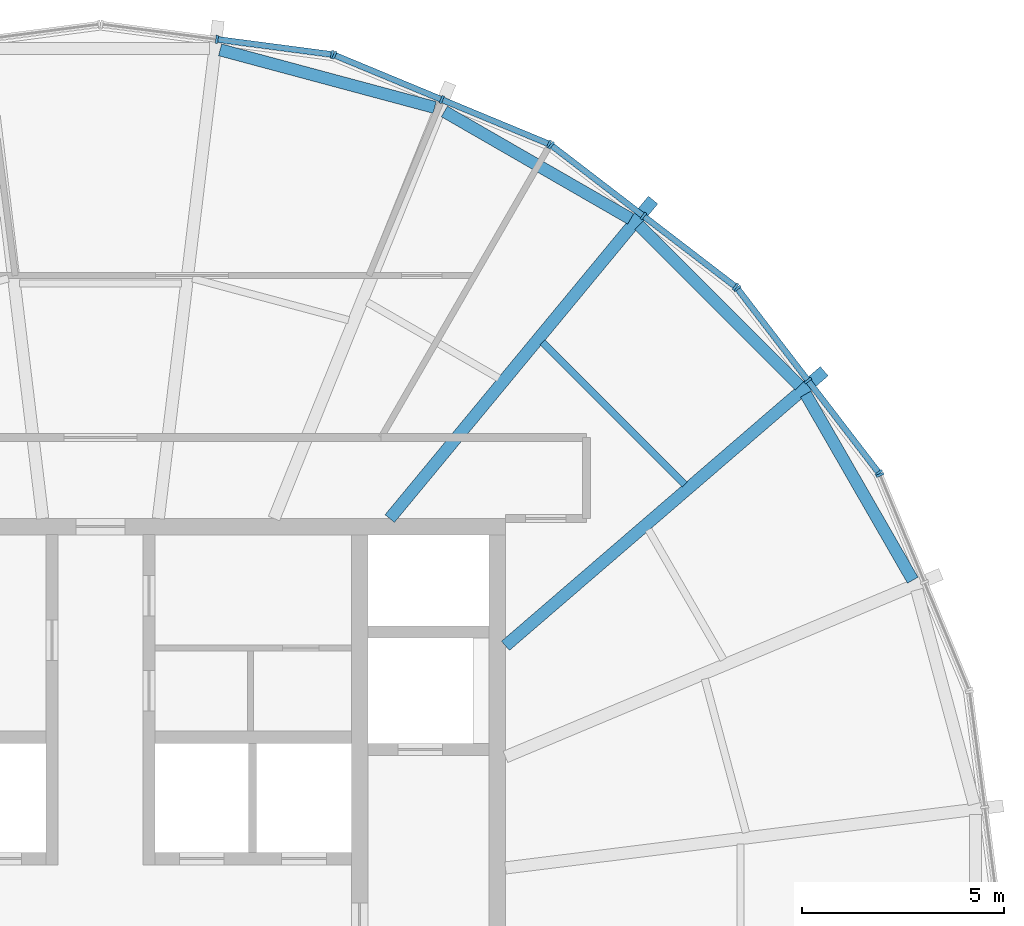
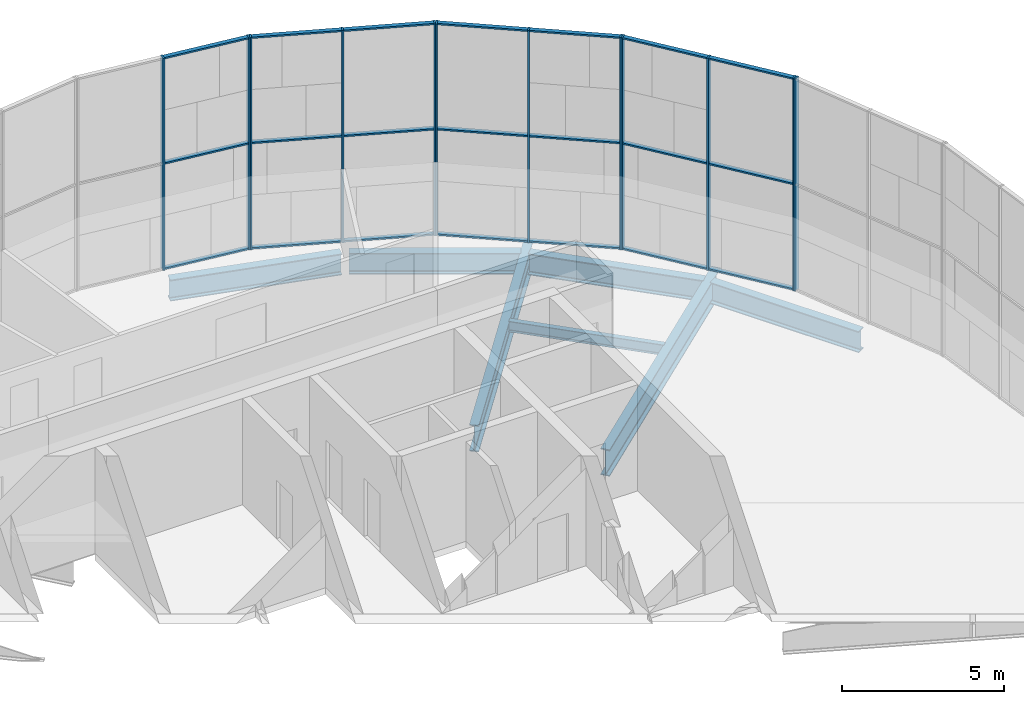
# One storey, part 7 of 19: 33 members, 7 beams, 5 elements without a shape of their own.
"""IFC4 building model written with IfcOpenShell, lengths in metres."""

from ifc_helpers import new_model, si_unit, direction, frame, origin, origin_2d, place, context, subcontext, project, spatial, rectangle, i_section, extrude, material, material_profile, profile_set, type_object, element, aggregate, save


model = new_model("IFC4")

# Units and contexts
model_context = context("Model", 3, precision=1e-05, world=origin(), true_north=direction((0.0, 1.0)))
body_context = subcontext(model_context, "Body", "Model", "MODEL_VIEW")
ifc_project = project(units=[si_unit("LENGTHUNIT", "METRE"), si_unit("AREAUNIT", "SQUARE_METRE"), si_unit("VOLUMEUNIT", "CUBIC_METRE"), si_unit("PLANEANGLEUNIT", "RADIAN"), si_unit("MASSUNIT", "GRAM", prefix="KILO")], contexts=[model_context])

# Site, building, storey
site_placement = place(None, origin())
site = spatial("IfcSite", under=ifc_project, at=site_placement, CompositionType="ELEMENT")
building_placement = place(site_placement, origin())
building = spatial("IfcBuilding", under=site, at=building_placement, Name="Golbaran Civic Tower", CompositionType="ELEMENT")
storey_placement = place(building_placement, frame((0.0, 0.0, 256.0)))
storey = spatial("IfcBuildingStorey", under=building, at=storey_placement, Name="L62", CompositionType="ELEMENT", Elevation=256.0)

# Beams
ifc_material_1 = material(Name="Steel S355", Category="steel")
ifc_material_profile_1 = material_profile(ifc_material_1, i_section(OverallWidth=0.300048828125, OverallDepth=0.800048828125, WebThickness=0.017578125, FlangeThickness=0.032958984375, FilletRadius=0.030029296875, at=origin_2d()), Name="HEB 800")
ifc_profile_set_1 = profile_set([ifc_material_profile_1], Name="Steel S355")
beam_type_1 = type_object("IfcBeamType", Name="EDGE BEAM HEB 800", PredefinedType="BEAM", material=ifc_profile_set_1)
beam_1_placement = place(storey_placement, frame((20.058837890625, 8.4775390625, -0.60009765625), z_axis=(-0.498581864812, 0.866842617827, 0.0), x_axis=(-0.866842617827, -0.498581864812, 0.0)))
element("IfcBeam", 1, at=beam_1_placement, inside=storey, type_object=beam_type_1, Name="Edge beam 22.58 L62", PredefinedType="BEAM", context=body_context, shape_type="SweptSolid", body=[
    extrude(i_section(OverallWidth=0.300048828125, OverallDepth=0.800048828125, WebThickness=0.017578125, FlangeThickness=0.032958984375, FilletRadius=0.030029296875, at=origin_2d()), origin(), (0.0, 0.0, 1.0), 5.3017578125),
])
beam_2_placement = place(storey_placement, frame((17.257568359375, 13.2802734375, -0.60009765625), z_axis=(-0.706714343881, 0.707499000814, 0.0), x_axis=(-0.707499000814, -0.706714343881, 0.0)))
element("IfcBeam", 2, at=beam_2_placement, inside=storey, type_object=beam_type_1, Name="Edge beam 37.42 L62", PredefinedType="BEAM", context=body_context, shape_type="SweptSolid", body=[
    extrude(i_section(OverallWidth=0.300048828125, OverallDepth=0.800048828125, WebThickness=0.017578125, FlangeThickness=0.032958984375, FilletRadius=0.030029296875, at=origin_2d()), origin(), (0.0, 0.0, 1.0), 5.6005859375),
])
beam_3_placement = place(storey_placement, frame((13.093017578125, 17.40087890625, -0.60009765625), z_axis=(-0.866418166458, 0.499319097203, 0.0), x_axis=(-0.499319097203, -0.866418166458, 0.0)))
element("IfcBeam", 3, at=beam_3_placement, inside=storey, type_object=beam_type_1, Name="Edge beam 52.58 L62", PredefinedType="BEAM", context=body_context, shape_type="SweptSolid", body=[
    extrude(i_section(OverallWidth=0.300048828125, OverallDepth=0.800048828125, WebThickness=0.017578125, FlangeThickness=0.032958984375, FilletRadius=0.030029296875, at=origin_2d()), origin(), (0.0, 0.0, 1.0), 5.310546875),
])
beam_4_placement = place(storey_placement, frame((8.251708984375, 20.152099609375, -0.60009765625), z_axis=(-0.965784409485, 0.259346244228, 0.0), x_axis=(-0.259346244228, -0.965784409485, 0.0)))
element("IfcBeam", 4, at=beam_4_placement, inside=storey, type_object=beam_type_1, Name="Edge beam 67.42 L62", PredefinedType="BEAM", context=body_context, shape_type="SweptSolid", body=[
    extrude(i_section(OverallWidth=0.300048828125, OverallDepth=0.800048828125, WebThickness=0.017578125, FlangeThickness=0.032958984375, FilletRadius=0.030029296875, at=origin_2d()), origin(), (0.0, 0.0, 1.0), 5.486328125),
])
ifc_material_profile_2 = material_profile(ifc_material_1, i_section(OverallWidth=0.179931640625, OverallDepth=0.39990234375, WebThickness=0.008544921875, FlangeThickness=0.013427734375, FilletRadius=0.02099609375, at=origin_2d()), Name="IPE 400")
ifc_profile_set_2 = profile_set([ifc_material_profile_2], Name="Steel S355")
beam_type_2 = type_object("IfcBeamType", Name="FLOOR INFILL BEAM IPE 400", PredefinedType="BEAM", material=ifc_profile_set_2)
beam_5_placement = place(storey_placement, frame((14.427490234375, 10.842529296875, -0.39990234375), z_axis=(-0.707106781187, 0.707106781187, 0.0), x_axis=(-0.707106781187, -0.707106781187, 0.0)))
element("IfcBeam", 5, at=beam_5_placement, inside=storey, type_object=beam_type_2, Name="Infill beam 45.00 L62", PredefinedType="BEAM", context=body_context, shape_type="SweptSolid", body=[
    extrude(i_section(OverallWidth=0.179931640625, OverallDepth=0.39990234375, WebThickness=0.008544921875, FlangeThickness=0.013427734375, FilletRadius=0.02099609375, at=origin_2d()), origin(), (0.0, 0.0, 1.0), 4.9697265625),
])

# Curtain wall, member
ifc_material_2 = material(Name="Aluminium and glass", Category="aluminium")
curtain_wall_type = type_object("IfcCurtainWallType", Name="INNER SKIN CURTAIN WALL EXECUTIVE", PredefinedType="NOTDEFINED", material=ifc_material_2)
curtain_wall_1_placement = place(storey_placement, origin())
curtain_wall_1 = element("IfcCurtainWall", 6, at=curtain_wall_1_placement, inside=storey, type_object=curtain_wall_type, Name="Inner skin L62 facet 2 CW2", ObjectType="INNER SKIN", PredefinedType="USERDEFINED")
ifc_material_3 = material(Name="Aluminium", Category="aluminium")
ifc_material_profile_3 = material_profile(ifc_material_3, rectangle(XDim=0.199951171875, YDim=0.06005859375, at=origin_2d()), Name="INNER SKIN CURTAIN WALL EXECUTIVE MULLION")
ifc_profile_set_3 = profile_set([ifc_material_profile_3], Name="Aluminium")
member_type_1 = type_object("IfcMemberType", Name="INNER SKIN CURTAIN WALL EXECUTIVE MULLION", PredefinedType="MULLION", material=ifc_profile_set_3)
member_1_placement = place(storey_placement, frame((19.24853515625, 11.078857421875, 0.0), z_axis=(0.0, 0.0, 1.0), x_axis=(-0.923879532511, -0.382683432365, 0.0)))
member_1 = element("IfcMember", 7, at=member_1_placement, type_object=member_type_1, Name="CW2 mullion 3", PredefinedType="MULLION", context=body_context, shape_type="SweptSolid", body=[
    extrude(rectangle(XDim=0.199951171875, YDim=0.06005859375, at=origin_2d()), origin(), (0.0, 0.0, 1.0), 8.0),
])
aggregate(curtain_wall_1, [member_1])

# Curtain wall, members
curtain_wall_2_placement = place(storey_placement, origin())
curtain_wall_2 = element("IfcCurtainWall", 8, at=curtain_wall_2_placement, inside=storey, type_object=curtain_wall_type, Name="Inner skin L62 facet 3 CW2", ObjectType="INNER SKIN", PredefinedType="USERDEFINED")
member_2_placement = place(storey_placement, frame((19.21875, 11.13037109375, 0.0), z_axis=(0.0, 0.0, 1.0), x_axis=(-0.793353340238, -0.608761429078, 0.0)))
member_2 = element("IfcMember", 9, at=member_2_placement, type_object=member_type_1, Name="CW2 mullion 1", PredefinedType="MULLION", context=body_context, shape_type="SweptSolid", body=[
    extrude(rectangle(XDim=0.199951171875, YDim=0.06005859375, at=origin_2d()), origin(), (0.0, 0.0, 1.0), 8.0),
])
member_3_placement = place(storey_placement, frame((17.471923828125, 13.40673828125, 0.0), z_axis=(0.0, 0.0, 1.0), x_axis=(-0.793353340238, -0.608761429078, 0.0)))
member_3 = element("IfcMember", 10, at=member_3_placement, type_object=member_type_1, Name="CW2 mullion 2", PredefinedType="MULLION", context=body_context, shape_type="SweptSolid", body=[
    extrude(rectangle(XDim=0.199951171875, YDim=0.06005859375, at=origin_2d()), origin(), (0.0, 0.0, 1.0), 8.0),
])
member_4_placement = place(storey_placement, frame((15.725341796875, 15.68310546875, 0.0), z_axis=(0.0, 0.0, 1.0), x_axis=(-0.793353340238, -0.608761429078, 0.0)))
member_4 = element("IfcMember", 11, at=member_4_placement, type_object=member_type_1, Name="CW2 mullion 3", PredefinedType="MULLION", context=body_context, shape_type="SweptSolid", body=[
    extrude(rectangle(XDim=0.199951171875, YDim=0.06005859375, at=origin_2d()), origin(), (0.0, 0.0, 1.0), 8.0),
])

curtain_wall_3_placement = place(storey_placement, origin())
curtain_wall_3 = element("IfcCurtainWall", 12, at=curtain_wall_3_placement, inside=storey, type_object=curtain_wall_type, Name="Inner skin L62 facet 4 CW2", ObjectType="INNER SKIN", PredefinedType="USERDEFINED")
member_5_placement = place(storey_placement, frame((15.68310546875, 15.725341796875, 0.0), z_axis=(0.0, 0.0, 1.0), x_axis=(-0.608761429078, -0.793353340238, 0.0)))
member_5 = element("IfcMember", 13, at=member_5_placement, type_object=member_type_1, Name="CW2 mullion 1", PredefinedType="MULLION", context=body_context, shape_type="SweptSolid", body=[
    extrude(rectangle(XDim=0.199951171875, YDim=0.06005859375, at=origin_2d()), origin(), (0.0, 0.0, 1.0), 8.0),
])
member_6_placement = place(storey_placement, frame((13.40673828125, 17.471923828125, 0.0), z_axis=(0.0, 0.0, 1.0), x_axis=(-0.608761429078, -0.793353340238, 0.0)))
member_6 = element("IfcMember", 14, at=member_6_placement, type_object=member_type_1, Name="CW2 mullion 2", PredefinedType="MULLION", context=body_context, shape_type="SweptSolid", body=[
    extrude(rectangle(XDim=0.199951171875, YDim=0.06005859375, at=origin_2d()), origin(), (0.0, 0.0, 1.0), 8.0),
])
member_7_placement = place(storey_placement, frame((11.13037109375, 19.21875, 0.0), z_axis=(0.0, 0.0, 1.0), x_axis=(-0.608761429078, -0.793353340238, 0.0)))
member_7 = element("IfcMember", 15, at=member_7_placement, type_object=member_type_1, Name="CW2 mullion 3", PredefinedType="MULLION", context=body_context, shape_type="SweptSolid", body=[
    extrude(rectangle(XDim=0.199951171875, YDim=0.06005859375, at=origin_2d()), origin(), (0.0, 0.0, 1.0), 8.0),
])

curtain_wall_4_placement = place(storey_placement, origin())
curtain_wall_4 = element("IfcCurtainWall", 16, at=curtain_wall_4_placement, inside=storey, type_object=curtain_wall_type, Name="Inner skin L62 facet 5 CW2", ObjectType="INNER SKIN", PredefinedType="USERDEFINED")
member_8_placement = place(storey_placement, frame((11.078857421875, 19.24853515625, 0.0), z_axis=(0.0, 0.0, 1.0), x_axis=(-0.382683432365, -0.923879532511, 0.0)))
member_8 = element("IfcMember", 17, at=member_8_placement, type_object=member_type_1, Name="CW2 mullion 1", PredefinedType="MULLION", context=body_context, shape_type="SweptSolid", body=[
    extrude(rectangle(XDim=0.199951171875, YDim=0.06005859375, at=origin_2d()), origin(), (0.0, 0.0, 1.0), 8.0),
])
member_9_placement = place(storey_placement, frame((8.427734375, 20.3466796875, 0.0), z_axis=(0.0, 0.0, 1.0), x_axis=(-0.382683432365, -0.923879532511, 0.0)))
member_9 = element("IfcMember", 18, at=member_9_placement, type_object=member_type_1, Name="CW2 mullion 2", PredefinedType="MULLION", context=body_context, shape_type="SweptSolid", body=[
    extrude(rectangle(XDim=0.199951171875, YDim=0.06005859375, at=origin_2d()), origin(), (0.0, 0.0, 1.0), 8.0),
])
member_10_placement = place(storey_placement, frame((5.77685546875, 21.444580078125, 0.0), z_axis=(0.0, 0.0, 1.0), x_axis=(-0.382683432365, -0.923879532511, 0.0)))
member_10 = element("IfcMember", 19, at=member_10_placement, type_object=member_type_1, Name="CW2 mullion 3", PredefinedType="MULLION", context=body_context, shape_type="SweptSolid", body=[
    extrude(rectangle(XDim=0.199951171875, YDim=0.06005859375, at=origin_2d()), origin(), (0.0, 0.0, 1.0), 8.0),
])

curtain_wall_5_placement = place(storey_placement, origin())
curtain_wall_5 = element("IfcCurtainWall", 20, at=curtain_wall_5_placement, inside=storey, type_object=curtain_wall_type, Name="Inner skin L62 facet 6 CW2", ObjectType="INNER SKIN", PredefinedType="USERDEFINED")
member_11_placement = place(storey_placement, frame((5.719482421875, 21.4599609375, 0.0), z_axis=(0.0, 0.0, 1.0), x_axis=(-0.130526192272, -0.991444861367, 0.0)))
member_11 = element("IfcMember", 21, at=member_11_placement, type_object=member_type_1, Name="CW2 mullion 1", PredefinedType="MULLION", context=body_context, shape_type="SweptSolid", body=[
    extrude(rectangle(XDim=0.199951171875, YDim=0.06005859375, at=origin_2d()), origin(), (0.0, 0.0, 1.0), 8.0),
])
member_12_placement = place(storey_placement, frame((2.87451171875, 21.83447265625, 0.0), z_axis=(0.0, 0.0, 1.0), x_axis=(-0.130526192272, -0.991444861367, 0.0)))
member_12 = element("IfcMember", 22, at=member_12_placement, type_object=member_type_1, Name="CW2 mullion 2", PredefinedType="MULLION", context=body_context, shape_type="SweptSolid", body=[
    extrude(rectangle(XDim=0.199951171875, YDim=0.06005859375, at=origin_2d()), origin(), (0.0, 0.0, 1.0), 8.0),
])

# Member
ifc_material_profile_4 = material_profile(ifc_material_3, rectangle(XDim=0.14990234375, YDim=0.06005859375, at=origin_2d()), Name="INNER SKIN CURTAIN WALL EXECUTIVE TRANSOM")
ifc_profile_set_4 = profile_set([ifc_material_profile_4], Name="Aluminium")
member_type_2 = type_object("IfcMemberType", Name="INNER SKIN CURTAIN WALL EXECUTIVE TRANSOM", PredefinedType="USERDEFINED", material=ifc_profile_set_4)
member_13_placement = place(storey_placement, frame((19.200439453125, 11.154052734375, 0.030029296875), z_axis=(-0.608765363283, 0.793350321401, 0.0), x_axis=(-0.793350321401, -0.608765363283, 0.0)))
member_13 = element("IfcMember", 23, at=member_13_placement, type_object=member_type_2, Name="CW2 transom 1.1", ObjectType="TRANSOM", PredefinedType="USERDEFINED", context=body_context, shape_type="SweptSolid", body=[
    extrude(rectangle(XDim=0.14990234375, YDim=0.06005859375, at=origin_2d()), origin(), (0.0, 0.0, 1.0), 2.809326171875),
])

member_14_placement = place(storey_placement, frame((19.200439453125, 11.154052734375, 4.0), z_axis=(-0.608765363283, 0.793350321401, 0.0), x_axis=(-0.793350321401, -0.608765363283, 0.0)))
member_14 = element("IfcMember", 24, at=member_14_placement, type_object=member_type_2, Name="CW2 transom 1.2", ObjectType="TRANSOM", PredefinedType="USERDEFINED", context=body_context, shape_type="SweptSolid", body=[
    extrude(rectangle(XDim=0.14990234375, YDim=0.06005859375, at=origin_2d()), origin(), (0.0, 0.0, 1.0), 2.809326171875),
])

member_15_placement = place(storey_placement, frame((19.200439453125, 11.154052734375, 7.969970703125), z_axis=(-0.608765363283, 0.793350321401, 0.0), x_axis=(-0.793350321401, -0.608765363283, 0.0)))
member_15 = element("IfcMember", 25, at=member_15_placement, type_object=member_type_2, Name="CW2 transom 1.3", ObjectType="TRANSOM", PredefinedType="USERDEFINED", context=body_context, shape_type="SweptSolid", body=[
    extrude(rectangle(XDim=0.14990234375, YDim=0.06005859375, at=origin_2d()), origin(), (0.0, 0.0, 1.0), 2.809326171875),
])

member_16_placement = place(storey_placement, frame((17.45361328125, 13.430419921875, 0.030029296875), z_axis=(-0.608723393608, 0.793382524432, 0.0), x_axis=(-0.793382524432, -0.608723393608, 0.0)))
member_16 = element("IfcMember", 26, at=member_16_placement, type_object=member_type_2, Name="CW2 transom 2.1", ObjectType="TRANSOM", PredefinedType="USERDEFINED", context=body_context, shape_type="SweptSolid", body=[
    extrude(rectangle(XDim=0.14990234375, YDim=0.06005859375, at=origin_2d()), origin(), (0.0, 0.0, 1.0), 2.8095703125),
])

member_17_placement = place(storey_placement, frame((17.45361328125, 13.430419921875, 4.0), z_axis=(-0.608723393608, 0.793382524432, 0.0), x_axis=(-0.793382524432, -0.608723393608, 0.0)))
member_17 = element("IfcMember", 27, at=member_17_placement, type_object=member_type_2, Name="CW2 transom 2.2", ObjectType="TRANSOM", PredefinedType="USERDEFINED", context=body_context, shape_type="SweptSolid", body=[
    extrude(rectangle(XDim=0.14990234375, YDim=0.06005859375, at=origin_2d()), origin(), (0.0, 0.0, 1.0), 2.8095703125),
])

member_18_placement = place(storey_placement, frame((17.45361328125, 13.430419921875, 7.969970703125), z_axis=(-0.608723393608, 0.793382524432, 0.0), x_axis=(-0.793382524432, -0.608723393608, 0.0)))
member_18 = element("IfcMember", 28, at=member_18_placement, type_object=member_type_2, Name="CW2 transom 2.3", ObjectType="TRANSOM", PredefinedType="USERDEFINED", context=body_context, shape_type="SweptSolid", body=[
    extrude(rectangle(XDim=0.14990234375, YDim=0.06005859375, at=origin_2d()), origin(), (0.0, 0.0, 1.0), 2.8095703125),
])

aggregate(curtain_wall_2, [member_2, member_3, member_4, member_13, member_14, member_15, member_16, member_17, member_18])

member_19_placement = place(storey_placement, frame((15.659423828125, 15.743408203125, 0.030029296875), z_axis=(-0.793382524432, 0.608723393608, 0.0), x_axis=(-0.608723393608, -0.793382524432, 0.0)))
member_19 = element("IfcMember", 29, at=member_19_placement, type_object=member_type_2, Name="CW2 transom 1.1", ObjectType="TRANSOM", PredefinedType="USERDEFINED", context=body_context, shape_type="SweptSolid", body=[
    extrude(rectangle(XDim=0.14990234375, YDim=0.06005859375, at=origin_2d()), origin(), (0.0, 0.0, 1.0), 2.8095703125),
])

member_20_placement = place(storey_placement, frame((15.659423828125, 15.743408203125, 4.0), z_axis=(-0.793382524432, 0.608723393608, 0.0), x_axis=(-0.608723393608, -0.793382524432, 0.0)))
member_20 = element("IfcMember", 30, at=member_20_placement, type_object=member_type_2, Name="CW2 transom 1.2", ObjectType="TRANSOM", PredefinedType="USERDEFINED", context=body_context, shape_type="SweptSolid", body=[
    extrude(rectangle(XDim=0.14990234375, YDim=0.06005859375, at=origin_2d()), origin(), (0.0, 0.0, 1.0), 2.8095703125),
])

member_21_placement = place(storey_placement, frame((15.659423828125, 15.743408203125, 7.969970703125), z_axis=(-0.793382524432, 0.608723393608, 0.0), x_axis=(-0.608723393608, -0.793382524432, 0.0)))
member_21 = element("IfcMember", 31, at=member_21_placement, type_object=member_type_2, Name="CW2 transom 1.3", ObjectType="TRANSOM", PredefinedType="USERDEFINED", context=body_context, shape_type="SweptSolid", body=[
    extrude(rectangle(XDim=0.14990234375, YDim=0.06005859375, at=origin_2d()), origin(), (0.0, 0.0, 1.0), 2.8095703125),
])

member_22_placement = place(storey_placement, frame((13.3828125, 17.490234375, 0.030029296875), z_axis=(-0.793350321401, 0.608765363283, 0.0), x_axis=(-0.608765363283, -0.793350321401, 0.0)))
member_22 = element("IfcMember", 32, at=member_22_placement, type_object=member_type_2, Name="CW2 transom 2.1", ObjectType="TRANSOM", PredefinedType="USERDEFINED", context=body_context, shape_type="SweptSolid", body=[
    extrude(rectangle(XDim=0.14990234375, YDim=0.06005859375, at=origin_2d()), origin(), (0.0, 0.0, 1.0), 2.809326171875),
])

member_23_placement = place(storey_placement, frame((13.3828125, 17.490234375, 4.0), z_axis=(-0.793350321401, 0.608765363283, 0.0), x_axis=(-0.608765363283, -0.793350321401, 0.0)))
member_23 = element("IfcMember", 33, at=member_23_placement, type_object=member_type_2, Name="CW2 transom 2.2", ObjectType="TRANSOM", PredefinedType="USERDEFINED", context=body_context, shape_type="SweptSolid", body=[
    extrude(rectangle(XDim=0.14990234375, YDim=0.06005859375, at=origin_2d()), origin(), (0.0, 0.0, 1.0), 2.809326171875),
])

member_24_placement = place(storey_placement, frame((13.3828125, 17.490234375, 7.969970703125), z_axis=(-0.793350321401, 0.608765363283, 0.0), x_axis=(-0.608765363283, -0.793350321401, 0.0)))
member_24 = element("IfcMember", 34, at=member_24_placement, type_object=member_type_2, Name="CW2 transom 2.3", ObjectType="TRANSOM", PredefinedType="USERDEFINED", context=body_context, shape_type="SweptSolid", body=[
    extrude(rectangle(XDim=0.14990234375, YDim=0.06005859375, at=origin_2d()), origin(), (0.0, 0.0, 1.0), 2.809326171875),
])

aggregate(curtain_wall_3, [member_5, member_6, member_7, member_19, member_20, member_21, member_22, member_23, member_24])

member_25_placement = place(storey_placement, frame((11.051025390625, 19.260009765625, 0.030029296875), z_axis=(-0.923864304003, 0.382720195168, 0.0), x_axis=(-0.382720195168, -0.923864304003, 0.0)))
member_25 = element("IfcMember", 35, at=member_25_placement, type_object=member_type_2, Name="CW2 transom 1.1", ObjectType="TRANSOM", PredefinedType="USERDEFINED", context=body_context, shape_type="SweptSolid", body=[
    extrude(rectangle(XDim=0.14990234375, YDim=0.06005859375, at=origin_2d()), origin(), (0.0, 0.0, 1.0), 2.809326171875),
])

member_26_placement = place(storey_placement, frame((11.051025390625, 19.260009765625, 4.0), z_axis=(-0.923864304003, 0.382720195168, 0.0), x_axis=(-0.382720195168, -0.923864304003, 0.0)))
member_26 = element("IfcMember", 36, at=member_26_placement, type_object=member_type_2, Name="CW2 transom 1.2", ObjectType="TRANSOM", PredefinedType="USERDEFINED", context=body_context, shape_type="SweptSolid", body=[
    extrude(rectangle(XDim=0.14990234375, YDim=0.06005859375, at=origin_2d()), origin(), (0.0, 0.0, 1.0), 2.809326171875),
])

member_27_placement = place(storey_placement, frame((11.051025390625, 19.260009765625, 7.969970703125), z_axis=(-0.923864304003, 0.382720195168, 0.0), x_axis=(-0.382720195168, -0.923864304003, 0.0)))
member_27 = element("IfcMember", 37, at=member_27_placement, type_object=member_type_2, Name="CW2 transom 1.3", ObjectType="TRANSOM", PredefinedType="USERDEFINED", context=body_context, shape_type="SweptSolid", body=[
    extrude(rectangle(XDim=0.14990234375, YDim=0.06005859375, at=origin_2d()), origin(), (0.0, 0.0, 1.0), 2.809326171875),
])

member_28_placement = place(storey_placement, frame((8.400146484375, 20.358154296875, 0.030029296875), z_axis=(-0.923895029293, 0.382646017682, 0.0), x_axis=(-0.382646017682, -0.923895029293, 0.0)))
member_28 = element("IfcMember", 38, at=member_28_placement, type_object=member_type_2, Name="CW2 transom 2.1", ObjectType="TRANSOM", PredefinedType="USERDEFINED", context=body_context, shape_type="SweptSolid", body=[
    extrude(rectangle(XDim=0.14990234375, YDim=0.06005859375, at=origin_2d()), origin(), (0.0, 0.0, 1.0), 2.809326171875),
])

member_29_placement = place(storey_placement, frame((8.400146484375, 20.358154296875, 4.0), z_axis=(-0.923895029293, 0.382646017682, 0.0), x_axis=(-0.382646017682, -0.923895029293, 0.0)))
member_29 = element("IfcMember", 39, at=member_29_placement, type_object=member_type_2, Name="CW2 transom 2.2", ObjectType="TRANSOM", PredefinedType="USERDEFINED", context=body_context, shape_type="SweptSolid", body=[
    extrude(rectangle(XDim=0.14990234375, YDim=0.06005859375, at=origin_2d()), origin(), (0.0, 0.0, 1.0), 2.809326171875),
])

member_30_placement = place(storey_placement, frame((8.400146484375, 20.358154296875, 7.969970703125), z_axis=(-0.923895029293, 0.382646017682, 0.0), x_axis=(-0.382646017682, -0.923895029293, 0.0)))
member_30 = element("IfcMember", 40, at=member_30_placement, type_object=member_type_2, Name="CW2 transom 2.3", ObjectType="TRANSOM", PredefinedType="USERDEFINED", context=body_context, shape_type="SweptSolid", body=[
    extrude(rectangle(XDim=0.14990234375, YDim=0.06005859375, at=origin_2d()), origin(), (0.0, 0.0, 1.0), 2.809326171875),
])

aggregate(curtain_wall_4, [member_8, member_9, member_10, member_25, member_26, member_27, member_28, member_29, member_30])

member_31_placement = place(storey_placement, frame((5.689697265625, 21.4638671875, 0.030029296875), z_axis=(-0.991445123903, 0.130524198098, 0.0), x_axis=(-0.130524198098, -0.991445123903, 0.0)))
member_31 = element("IfcMember", 41, at=member_31_placement, type_object=member_type_2, Name="CW2 transom 1.1", ObjectType="TRANSOM", PredefinedType="USERDEFINED", context=body_context, shape_type="SweptSolid", body=[
    extrude(rectangle(XDim=0.14990234375, YDim=0.06005859375, at=origin_2d()), origin(), (0.0, 0.0, 1.0), 2.809326171875),
])

member_32_placement = place(storey_placement, frame((5.689697265625, 21.4638671875, 4.0), z_axis=(-0.991445123903, 0.130524198098, 0.0), x_axis=(-0.130524198098, -0.991445123903, 0.0)))
member_32 = element("IfcMember", 42, at=member_32_placement, type_object=member_type_2, Name="CW2 transom 1.2", ObjectType="TRANSOM", PredefinedType="USERDEFINED", context=body_context, shape_type="SweptSolid", body=[
    extrude(rectangle(XDim=0.14990234375, YDim=0.06005859375, at=origin_2d()), origin(), (0.0, 0.0, 1.0), 2.809326171875),
])

member_33_placement = place(storey_placement, frame((5.689697265625, 21.4638671875, 7.969970703125), z_axis=(-0.991445123903, 0.130524198098, 0.0), x_axis=(-0.130524198098, -0.991445123903, 0.0)))
member_33 = element("IfcMember", 43, at=member_33_placement, type_object=member_type_2, Name="CW2 transom 1.3", ObjectType="TRANSOM", PredefinedType="USERDEFINED", context=body_context, shape_type="SweptSolid", body=[
    extrude(rectangle(XDim=0.14990234375, YDim=0.06005859375, at=origin_2d()), origin(), (0.0, 0.0, 1.0), 2.809326171875),
])

aggregate(curtain_wall_5, [member_11, member_12, member_31, member_32, member_33])

# Beams
ifc_material_profile_5 = material_profile(ifc_material_1, i_section(OverallWidth=0.300048828125, OverallDepth=1.0, WebThickness=0.01904296875, FlangeThickness=0.035888671875, FilletRadius=0.030029296875, at=origin_2d()), Name="HEB 1000")
ifc_profile_set_5 = profile_set([ifc_material_profile_5], Name="Steel S355")
beam_type_3 = type_object("IfcBeamType", Name="RADIAL FLOOR BEAM HEB 1000", PredefinedType="BEAM", material=ifc_profile_set_5)
beam_6_placement = place(storey_placement, frame((10.0, 6.857177734375, -0.7099609375), z_axis=(0.757663917113, 0.65264491778, 0.0), x_axis=(-0.65264491778, 0.757663917113, 0.0)))
element("IfcBeam", 44, at=beam_6_placement, inside=storey, type_object=beam_type_3, Name="Radial beam 37.42 L62", PredefinedType="BEAM", context=body_context, shape_type="SweptSolid", body=[
    extrude(i_section(OverallWidth=0.300048828125, OverallDepth=1.0, WebThickness=0.01904296875, FlangeThickness=0.035888671875, FilletRadius=0.030029296875, at=origin_2d()), origin(), (0.0, 0.0, 1.0), 10.3916015625),
])
beam_7_placement = place(storey_placement, frame((7.142822265625, 10.0, -0.7099609375), z_axis=(0.637203438568, 0.770695645425, 0.0), x_axis=(-0.770695645425, 0.637203438568, 0.0)))
element("IfcBeam", 45, at=beam_7_placement, inside=storey, type_object=beam_type_3, Name="Radial beam 52.58 L62", PredefinedType="BEAM", context=body_context, shape_type="SweptSolid", body=[
    extrude(i_section(OverallWidth=0.300048828125, OverallDepth=1.0, WebThickness=0.01904296875, FlangeThickness=0.035888671875, FilletRadius=0.030029296875, at=origin_2d()), origin(), (0.0, 0.0, 1.0), 10.20703125),
])

save(model, "model.ifc")
